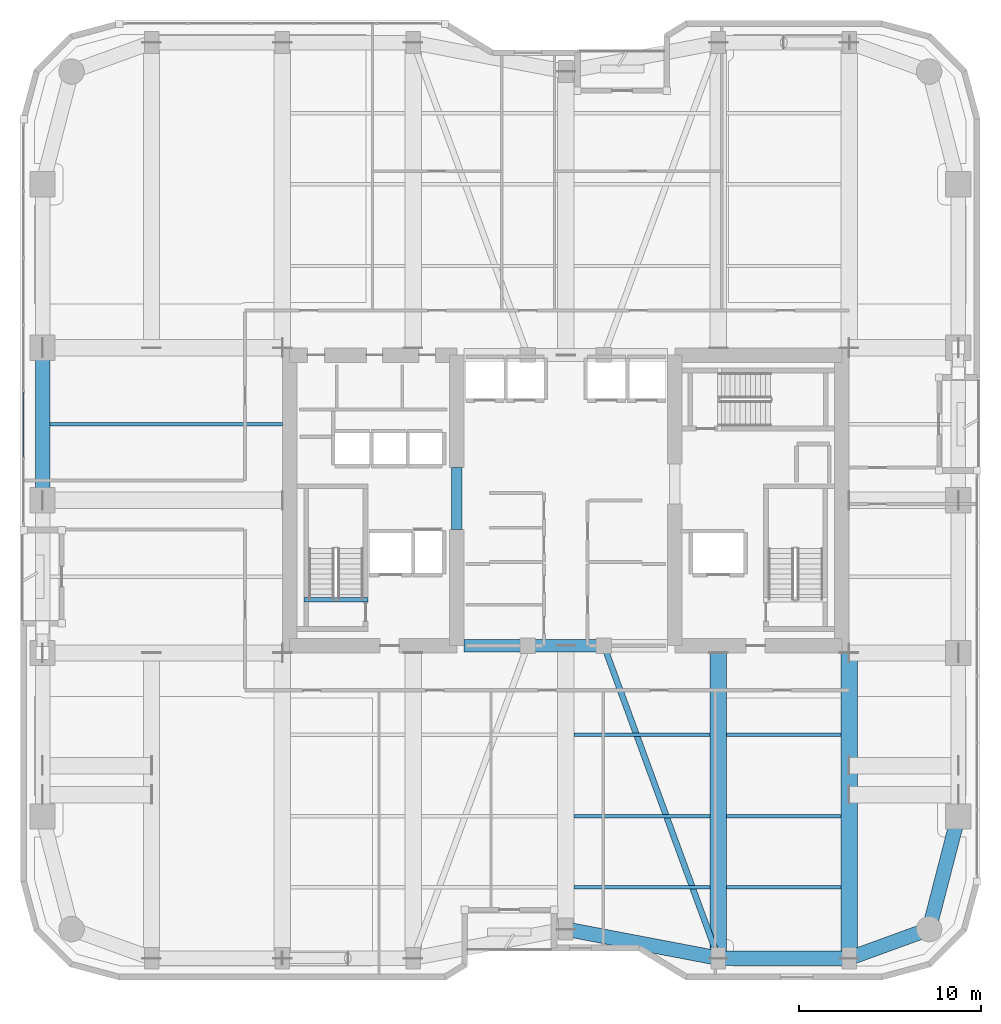
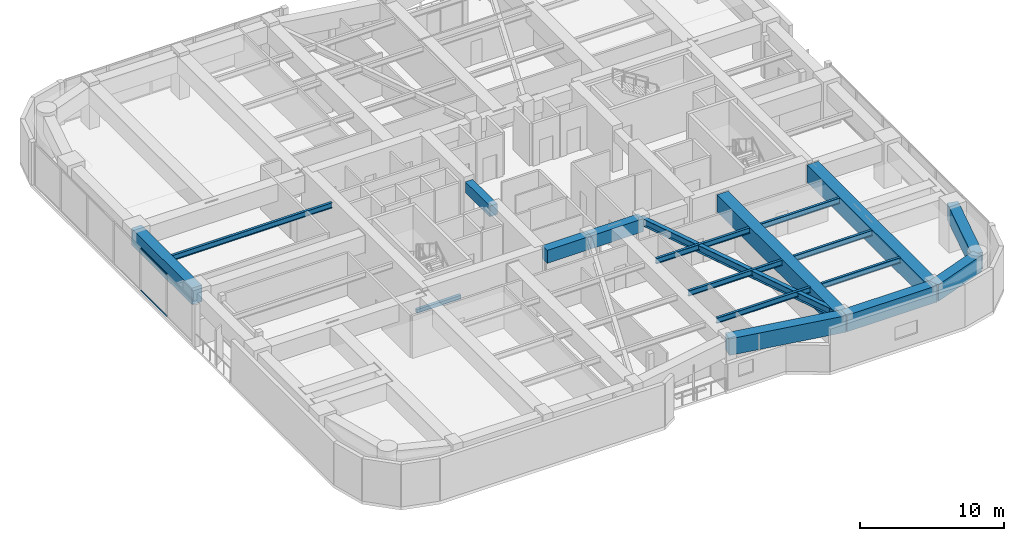
# One storey, part 3 of 25: 19 beams, 2 members, 1 element without a shape of its own.
"""IFC4 building model written with IfcOpenShell, lengths in metres."""

from ifc_helpers import new_model, si_unit, direction, frame, origin, origin_2d, place, context, subcontext, project, spatial, rectangle, hollow_rectangle, i_section, extrude, material, layer, layer_set, material_profile, profile_set, type_object, element, aggregate, save


model = new_model("IFC4")

# Units and contexts
model_context = context("Model", 3, precision=1e-05, world=origin(), true_north=direction((0.0, 1.0)))
body_context = subcontext(model_context, "Body", "Model", "MODEL_VIEW")
ifc_project = project(units=[si_unit("LENGTHUNIT", "METRE"), si_unit("AREAUNIT", "SQUARE_METRE"), si_unit("VOLUMEUNIT", "CUBIC_METRE"), si_unit("PLANEANGLEUNIT", "RADIAN"), si_unit("MASSUNIT", "GRAM", prefix="KILO")], contexts=[model_context])

# Site, building, storey
site_placement = place(None, origin())
site = spatial("IfcSite", under=ifc_project, at=site_placement, CompositionType="ELEMENT")
building_placement = place(site_placement, origin())
building = spatial("IfcBuilding", under=site, at=building_placement, Name="Kiyonajd Concourse Tower", CompositionType="ELEMENT")
storey_placement = place(building_placement, frame((0.0, 0.0, 141.60009765625)))
storey = spatial("IfcBuildingStorey", under=building, at=storey_placement, Name="L36", CompositionType="ELEMENT", Elevation=141.60009765625)

# Beams
ifc_material_1 = material(Name="Concrete C70/85", Category="concrete")
ifc_material_profile_1 = material_profile(ifc_material_1, rectangle(XDim=0.699951171875, YDim=1.10009765625, at=origin_2d()), Name="RCBM-700x1100")
ifc_profile_set_1 = profile_set([ifc_material_profile_1], Name="Concrete C70/85")
beam_type_1 = type_object("IfcBeamType", Name="BM-COUP-1100", PredefinedType="LINTEL", material=ifc_profile_set_1)
beam_1_placement = place(storey_placement, frame((42.39990234375, 28.0, 3.0498046875), z_axis=(1.0, 0.0, 0.0), x_axis=(0.0, 1.0, 0.0)))
element("IfcBeam", 1, at=beam_1_placement, inside=storey, type_object=beam_type_1, Name="L36 Core Coupling Beam S1", PredefinedType="LINTEL", context=body_context, shape_type="SweptSolid", body=[
    extrude(rectangle(XDim=0.699951171875, YDim=1.10009765625, at=origin_2d()), origin(), (0.0, 0.0, 1.0), 3.5),
])
beam_2_placement = place(storey_placement, frame((45.89990234375, 28.0, 3.0498046875), z_axis=(1.0, 0.0, 0.0), x_axis=(0.0, 1.0, 0.0)))
element("IfcBeam", 2, at=beam_2_placement, inside=storey, type_object=beam_type_1, Name="L36 Core Coupling Beam S2", PredefinedType="LINTEL", context=body_context, shape_type="SweptSolid", body=[
    extrude(rectangle(XDim=0.699951171875, YDim=1.10009765625, at=origin_2d()), origin(), (0.0, 0.0, 1.0), 4.2001953125),
])
ifc_material_2 = material(Name="Concrete C60/75", Category="concrete")
ifc_material_profile_2 = material_profile(ifc_material_2, rectangle(XDim=0.60009765625, YDim=0.89990234375, at=origin_2d()), Name="RCBM-600x900")
ifc_profile_set_2 = profile_set([ifc_material_profile_2], Name="Concrete C60/75")
beam_type_2 = type_object("IfcBeamType", Name="BM-COUP-900", PredefinedType="LINTEL", material=ifc_profile_set_2)
beam_3_placement = place(storey_placement, frame((42.0, 34.39990234375, 3.0498046875), z_axis=(0.0, 1.0, 0.0), x_axis=(-1.0, 0.0, 0.0)))
element("IfcBeam", 3, at=beam_3_placement, inside=storey, type_object=beam_type_2, Name="L36 West Core Throat Coupling Lintel", PredefinedType="LINTEL", context=body_context, shape_type="SweptSolid", body=[
    extrude(rectangle(XDim=0.60009765625, YDim=0.89990234375, at=origin_2d()), origin(), (0.0, 0.0, 1.0), 3.400146484375),
])
ifc_material_3 = material(Name="Steel ASTM A992 Grade 50", Category="steel")
ifc_material_profile_3 = material_profile(ifc_material_3, i_section(OverallWidth=0.19189453125, OverallDepth=0.462890625, WebThickness=0.010498046875, FlangeThickness=0.017578125, at=origin_2d()), Name="W460X89")
ifc_profile_set_3 = profile_set([ifc_material_profile_3], Name="Steel ASTM A992 Grade 50")
beam_type_3 = type_object("IfcBeamType", Name="BM-JST-460B", PredefinedType="JOIST", material=ifc_profile_set_3)
beam_4_placement = place(storey_placement, frame((48.449951171875, 14.699951171875, 3.428466796875), z_axis=(1.0, 0.0, 0.0), x_axis=(0.0, 1.0, 0.0)))
element("IfcBeam", 4, at=beam_4_placement, inside=storey, type_object=beam_type_3, Name="L36 Secondary Floor Joist", PredefinedType="JOIST", context=body_context, shape_type="SweptSolid", body=[
    extrude(i_section(OverallWidth=0.19189453125, OverallDepth=0.462890625, WebThickness=0.010498046875, FlangeThickness=0.017578125, at=origin_2d()), origin(), (0.0, 0.0, 1.0), 7.5),
])
beam_5_placement = place(storey_placement, frame((56.85009765625, 14.699951171875, 3.428466796875), z_axis=(1.0, 0.0, 0.0), x_axis=(0.0, 1.0, 0.0)))
element("IfcBeam", 5, at=beam_5_placement, inside=storey, type_object=beam_type_3, Name="L36 Secondary Floor Joist", PredefinedType="JOIST", context=body_context, shape_type="SweptSolid", body=[
    extrude(i_section(OverallWidth=0.19189453125, OverallDepth=0.462890625, WebThickness=0.010498046875, FlangeThickness=0.017578125, at=origin_2d()), origin(), (0.0, 0.0, 1.0), 6.2998046875),
])
beam_6_placement = place(storey_placement, frame((48.449951171875, 18.60009765625, 3.368408203125), z_axis=(1.0, 0.0, 0.0), x_axis=(0.0, 1.0, 0.0)))
element("IfcBeam", 6, at=beam_6_placement, inside=storey, type_object=beam_type_3, Name="L36 Secondary Floor Joist", PredefinedType="JOIST", context=body_context, shape_type="SweptSolid", body=[
    extrude(i_section(OverallWidth=0.19189453125, OverallDepth=0.462890625, WebThickness=0.010498046875, FlangeThickness=0.017578125, at=origin_2d()), origin(), (0.0, 0.0, 1.0), 7.5),
])
beam_7_placement = place(storey_placement, frame((56.85009765625, 18.60009765625, 3.368408203125), z_axis=(1.0, 0.0, 0.0), x_axis=(0.0, 1.0, 0.0)))
element("IfcBeam", 7, at=beam_7_placement, inside=storey, type_object=beam_type_3, Name="L36 Secondary Floor Joist", PredefinedType="JOIST", context=body_context, shape_type="SweptSolid", body=[
    extrude(i_section(OverallWidth=0.19189453125, OverallDepth=0.462890625, WebThickness=0.010498046875, FlangeThickness=0.017578125, at=origin_2d()), origin(), (0.0, 0.0, 1.0), 6.2998046875),
])
beam_8_placement = place(storey_placement, frame((48.449951171875, 23.10009765625, 3.368408203125), z_axis=(1.0, 0.0, 0.0), x_axis=(0.0, 1.0, 0.0)))
element("IfcBeam", 8, at=beam_8_placement, inside=storey, type_object=beam_type_3, Name="L36 Secondary Floor Joist", PredefinedType="JOIST", context=body_context, shape_type="SweptSolid", body=[
    extrude(i_section(OverallWidth=0.19189453125, OverallDepth=0.462890625, WebThickness=0.010498046875, FlangeThickness=0.017578125, at=origin_2d()), origin(), (0.0, 0.0, 1.0), 7.5),
])
beam_9_placement = place(storey_placement, frame((56.85009765625, 23.10009765625, 3.368408203125), z_axis=(1.0, 0.0, 0.0), x_axis=(0.0, 1.0, 0.0)))
element("IfcBeam", 9, at=beam_9_placement, inside=storey, type_object=beam_type_3, Name="L36 Secondary Floor Joist", PredefinedType="JOIST", context=body_context, shape_type="SweptSolid", body=[
    extrude(i_section(OverallWidth=0.19189453125, OverallDepth=0.462890625, WebThickness=0.010498046875, FlangeThickness=0.017578125, at=origin_2d()), origin(), (0.0, 0.0, 1.0), 6.2998046875),
])
beam_10_placement = place(storey_placement, frame((19.60009765625, 40.199951171875, 3.368408203125), z_axis=(1.0, 0.0, 0.0), x_axis=(0.0, 1.0, 0.0)))
element("IfcBeam", 10, at=beam_10_placement, inside=storey, type_object=beam_type_3, Name="L36 West Secondary Floor Joist", PredefinedType="JOIST", context=body_context, shape_type="SweptSolid", body=[
    extrude(i_section(OverallWidth=0.19189453125, OverallDepth=0.462890625, WebThickness=0.010498046875, FlangeThickness=0.017578125, at=origin_2d()), origin(), (0.0, 0.0, 1.0), 12.7998046875),
])
ifc_material_4 = material(Name="Concrete C50/60", Category="concrete")
ifc_material_profile_4 = material_profile(ifc_material_4, rectangle(XDim=0.239990234375, YDim=0.320068359375, at=origin_2d()), Name="RCBM-240x320")
ifc_profile_set_4 = profile_set([ifc_material_profile_4], Name="Concrete C50/60")
beam_type_4 = type_object("IfcBeamType", Name="BM-LNT-250", PredefinedType="LINTEL", material=ifc_profile_set_4)
beam_11_placement = place(storey_placement, frame((33.590087890625, 30.530029296875, -0.16015625), z_axis=(1.0, 0.0, 0.0), x_axis=(0.0, 1.0, 0.0)))
element("IfcBeam", 11, at=beam_11_placement, inside=storey, type_object=beam_type_4, Name="L36 Stair ST1 Threshold Support Beam", PredefinedType="LINTEL", context=body_context, shape_type="SweptSolid", body=[
    extrude(rectangle(XDim=0.239990234375, YDim=0.320068359375, at=origin_2d()), origin(), (0.0, 0.0, 1.0), 3.52001953125),
])
ifc_material_profile_5 = material_profile(ifc_material_3, i_section(OverallWidth=0.326904296875, OverallDepth=0.6220703125, WebThickness=0.015380859375, FlangeThickness=0.0244140625, at=origin_2d()), Name="W610X195")
ifc_profile_set_5 = profile_set([ifc_material_profile_5], Name="Steel ASTM A992 Grade 50")
beam_type_5 = type_object("IfcBeamType", Name="BM-TWR-610A", PredefinedType="BEAM", material=ifc_profile_set_5)
beam_12_placement = place(storey_placement, frame((50.10009765625, 28.0, 3.288818359375), z_axis=(0.343925269715, -0.938997022813, 0.0), x_axis=(0.938997022813, 0.343925269715, 0.0)))
element("IfcBeam", 12, at=beam_12_placement, inside=storey, type_object=beam_type_5, Name="L36 Core Tie Girder", PredefinedType="BEAM", context=body_context, shape_type="SweptSolid", body=[
    extrude(i_section(OverallWidth=0.326904296875, OverallDepth=0.6220703125, WebThickness=0.015380859375, FlangeThickness=0.0244140625, at=origin_2d()), origin(), (0.0, 0.0, 1.0), 18.3173828125),
])
ifc_material_5 = material(Name="Steel ASTM A572 Grade 50", Category="steel")
ifc_material_profile_6 = material_profile(ifc_material_5, hollow_rectangle(XDim=0.89990234375, YDim=1.449951171875, WallThickness=0.074951171875, at=origin_2d()), Name="BOX-1450x900x75")
ifc_profile_set_6 = profile_set([ifc_material_profile_6], Name="Steel ASTM A572 Grade 50")
beam_type_6 = type_object("IfcBeamType", Name="BM-XFER-1800", PredefinedType="BEAM", material=ifc_profile_set_6)
for number, where, z_axis, x_axis, name in (
    (13, (56.39990234375, 10.800048828125, 2.875), (0.0, 1.0, 0.0), (-1.0, 0.0, 0.0), "L36 South Lease Girder"),
    (14, (63.60009765625, 10.800048828125, 2.875), (0.0, 1.0, 0.0), (-1.0, 0.0, 0.0), "L36 South Lease Girder"),
):
    element("IfcBeam", number, at=place(storey_placement, frame(where, z_axis=z_axis, x_axis=x_axis)), inside=storey, type_object=beam_type_6, Name=name, PredefinedType="BEAM", context=body_context, shape_type="SweptSolid", body=[
        extrude(hollow_rectangle(XDim=0.89990234375, YDim=1.449951171875, WallThickness=0.074951171875, at=origin_2d()), origin(), (0.0, 0.0, 1.0), 16.800048828125),
    ])
ifc_material_profile_7 = material_profile(ifc_material_2, rectangle(XDim=0.800048828125, YDim=1.39990234375, at=origin_2d()), Name="RCBM-800x1400")
ifc_profile_set_7 = profile_set([ifc_material_profile_7], Name="Concrete C60/75")
beam_type_7 = type_object("IfcBeamType", Name="BM-XFER-RC", PredefinedType="BEAM", material=ifc_profile_set_7)
beam_13_placement = place(storey_placement, frame((48.0, 12.39990234375, 2.9599609375), z_axis=(0.982341315253, -0.187097675953, 0.0), x_axis=(0.187097675953, 0.982341315253, 0.0)))
element("IfcBeam", 15, at=beam_13_placement, inside=storey, type_object=beam_type_7, Name="L36 Perimeter Bundled Tube Spandrel", PredefinedType="BEAM", context=body_context, shape_type="SweptSolid", body=[
    extrude(rectangle(XDim=0.800048828125, YDim=1.39990234375, at=origin_2d()), origin(), (0.0, 0.0, 1.0), 8.55078125),
])
beam_14_placement = place(storey_placement, frame((56.39990234375, 10.800048828125, 2.9599609375), z_axis=(1.0, 0.0, 0.0), x_axis=(0.0, 1.0, 0.0)))
element("IfcBeam", 16, at=beam_14_placement, inside=storey, type_object=beam_type_7, Name="L36 Perimeter Bundled Tube Spandrel", PredefinedType="BEAM", context=body_context, shape_type="SweptSolid", body=[
    extrude(rectangle(XDim=0.800048828125, YDim=1.39990234375, at=origin_2d()), origin(), (0.0, 0.0, 1.0), 7.2001953125),
])
beam_15_placement = place(storey_placement, frame((63.60009765625, 10.800048828125, 2.9599609375), z_axis=(0.939801036019, 0.341722127901, 0.0), x_axis=(-0.341722127901, 0.939801036019, 0.0)))
element("IfcBeam", 17, at=beam_15_placement, inside=storey, type_object=beam_type_7, Name="L36 Perimeter Bundled Tube Spandrel", PredefinedType="BEAM", context=body_context, shape_type="SweptSolid", body=[
    extrude(rectangle(XDim=0.800048828125, YDim=1.39990234375, at=origin_2d()), origin(), (0.0, 0.0, 1.0), 4.681640625),
])
beam_16_placement = place(storey_placement, frame((68.0, 12.39990234375, 2.9599609375), z_axis=(0.249884937687, 0.968275538221, 0.0), x_axis=(-0.968275538221, 0.249884937687, 0.0)))
element("IfcBeam", 18, at=beam_16_placement, inside=storey, type_object=beam_type_7, Name="L36 Perimeter Bundled Tube Spandrel", PredefinedType="BEAM", context=body_context, shape_type="SweptSolid", body=[
    extrude(rectangle(XDim=0.800048828125, YDim=1.39990234375, at=origin_2d()), origin(), (0.0, 0.0, 1.0), 6.4033203125),
])
beam_17_placement = place(storey_placement, frame((19.199951171875, 44.39990234375, 2.89990234375), z_axis=(0.0, -1.0, 0.0), x_axis=(1.0, 0.0, 0.0)))
element("IfcBeam", 19, at=beam_17_placement, inside=storey, type_object=beam_type_7, Name="L36 Perimeter Bundled Tube Spandrel", PredefinedType="BEAM", context=body_context, shape_type="SweptSolid", body=[
    extrude(rectangle(XDim=0.800048828125, YDim=1.39990234375, at=origin_2d()), origin(), (0.0, 0.0, 1.0), 8.39990234375),
])

# Curtain wall, members
ifc_material_6 = material(Name="Thermally Broken Anodised Aluminium", Category="aluminium")
ifc_layer = layer(ifc_material_6, 0.179931640625)
ifc_layer_set = layer_set([ifc_layer], Name="Thermally Broken Anodised Aluminium")
curtain_wall_type = type_object("IfcCurtainWallType", Name="CW-SYS-03", PredefinedType="NOTDEFINED", material=ifc_layer_set)
curtain_wall_placement = place(storey_placement, origin())
curtain_wall = element("IfcCurtainWall", 20, at=curtain_wall_placement, inside=storey, type_object=curtain_wall_type, Name="L36 Unitised Curtain Wall CW3", PredefinedType="NOTDEFINED")
ifc_material_profile_8 = material_profile(ifc_material_6, hollow_rectangle(XDim=0.06494140625, YDim=0.139892578125, WallThickness=0.00390625, at=origin_2d()), Name="TRAN-65x140")
ifc_profile_set_8 = profile_set([ifc_material_profile_8], Name="Thermally Broken Anodised Aluminium")
member_type = type_object("IfcMemberType", Name="MB-CW-TRAN1", PredefinedType="USERDEFINED", material=ifc_profile_set_8)
member_1_placement = place(storey_placement, frame((18.159912109375, 38.355712890625, 0.032470703125), z_axis=(0.0, 1.0, 0.0), x_axis=(-1.0, 0.0, 0.0)))
member_1 = element("IfcMember", 21, at=member_1_placement, type_object=member_type, Name="CW3 transom 2.1", ObjectType="TRANSOM", PredefinedType="USERDEFINED", context=body_context, shape_type="SweptSolid", body=[
    extrude(hollow_rectangle(XDim=0.06494140625, YDim=0.139892578125, WallThickness=0.00390625, at=origin_2d()), origin(), (0.0, 0.0, 1.0), 3.608154296875),
])
member_2_placement = place(storey_placement, frame((18.159912109375, 38.355712890625, 3.5673828125), z_axis=(0.0, 1.0, 0.0), x_axis=(-1.0, 0.0, 0.0)))
member_2 = element("IfcMember", 22, at=member_2_placement, type_object=member_type, Name="CW3 transom 2.2", ObjectType="TRANSOM", PredefinedType="USERDEFINED", context=body_context, shape_type="SweptSolid", body=[
    extrude(hollow_rectangle(XDim=0.06494140625, YDim=0.139892578125, WallThickness=0.00390625, at=origin_2d()), origin(), (0.0, 0.0, 1.0), 3.608154296875),
])
aggregate(curtain_wall, [member_1, member_2])

save(model, "model.ifc")
